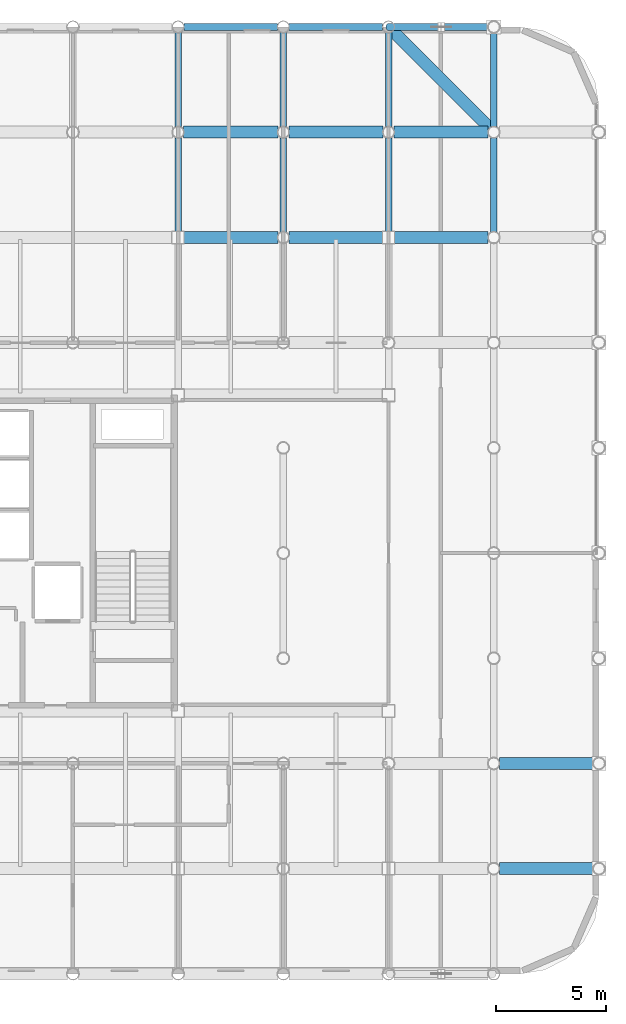
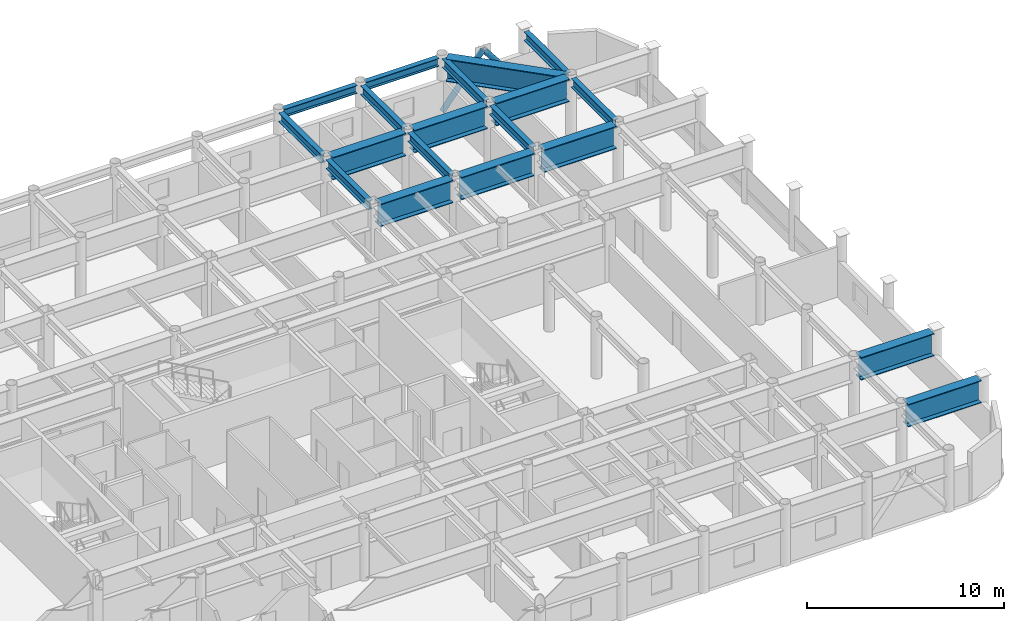
# One storey, part 16 of 27: 19 beams, 2 members.
"""IFC4 building model written with IfcOpenShell, lengths in metres."""

from ifc_helpers import new_model, si_unit, direction, frame, origin, origin_2d, place, context, subcontext, project, spatial, hollow_circle, i_section, extrude, material, material_profile, profile_set, type_object, element, save


model = new_model("IFC4")

# Units and contexts
model_context = context("Model", 3, precision=1e-05, world=origin(), true_north=direction((0.0, 1.0)))
body_context = subcontext(model_context, "Body", "Model", "MODEL_VIEW")
ifc_project = project(units=[si_unit("LENGTHUNIT", "METRE"), si_unit("AREAUNIT", "SQUARE_METRE"), si_unit("VOLUMEUNIT", "CUBIC_METRE"), si_unit("PLANEANGLEUNIT", "RADIAN"), si_unit("MASSUNIT", "GRAM", prefix="KILO")], contexts=[model_context])

# Site, building, storey
site_placement = place(None, origin())
site = spatial("IfcSite", under=ifc_project, at=site_placement, CompositionType="ELEMENT")
building_placement = place(site_placement, origin())
building = spatial("IfcBuilding", under=site, at=building_placement, Name="Kallvorn Hotel Tower", CompositionType="ELEMENT")
storey_placement = place(building_placement, frame((0.0, 0.0, 245.39990234375)))
storey = spatial("IfcBuildingStorey", under=building, at=storey_placement, Name="L61", CompositionType="ELEMENT", Elevation=245.39990234375)

# Beams
ifc_material_1 = material(Name="Structural steel S355JR", Category="steel")
ifc_material_profile_1 = material_profile(ifc_material_1, i_section(OverallWidth=0.300048828125, OverallDepth=0.5, WebThickness=0.014404296875, FlangeThickness=0.028076171875, at=origin_2d()), Name="HE 500 B")
ifc_profile_set_1 = profile_set([ifc_material_profile_1], Name="Structural steel S355JR")
beam_type_1 = type_object("IfcBeamType", Name="BM_HE500B", PredefinedType="SPANDREL", material=ifc_profile_set_1)
for number, where, z_axis, x_axis, name in (
    (1, (14.66943359375, 24.0, 3.420166015625), (1.0, 0.0, 0.0), (0.0, 1.0, 0.0), "L62 Perimeter Spandrel 181"),
    (2, (19.469482421875, 24.0, 3.420166015625), (1.0, 0.0, 0.0), (0.0, 1.0, 0.0), "L62 Perimeter Spandrel 182"),
):
    element("IfcBeam", number, at=place(storey_placement, frame(where, z_axis=z_axis, x_axis=x_axis)), inside=storey, type_object=beam_type_1, Name=name, PredefinedType="SPANDREL", context=body_context, shape_type="SweptSolid", body=[
        extrude(i_section(OverallWidth=0.300048828125, OverallDepth=0.5, WebThickness=0.014404296875, FlangeThickness=0.028076171875, at=origin_2d()), origin(), (0.0, 0.0, 1.0), 4.260986328125),
    ])
ifc_material_2 = material(Name="Structural steel S355JR", Category="steel")
ifc_material_profile_2 = material_profile(ifc_material_2, i_section(OverallWidth=0.300048828125, OverallDepth=0.550048828125, WebThickness=0.014892578125, FlangeThickness=0.029052734375, at=origin_2d()), Name="HE 550 B")
ifc_profile_set_2 = profile_set([ifc_material_profile_2], Name="Structural steel S355JR")
beam_type_2 = type_object("IfcBeamType", Name="BM_HE550B", PredefinedType="SPANDREL", material=ifc_profile_set_2)
beam_1_placement = place(storey_placement, frame((14.39990234375, 14.675048828125, 3.39501953125), z_axis=(0.0, 1.0, 0.0), x_axis=(-1.0, 0.0, 0.0)))
element("IfcBeam", 3, at=beam_1_placement, inside=storey, type_object=beam_type_2, Name="L62 Primary Y-Girder 133", PredefinedType="SPANDREL", context=body_context, shape_type="SweptSolid", body=[
    extrude(i_section(OverallWidth=0.300048828125, OverallDepth=0.550048828125, WebThickness=0.014892578125, FlangeThickness=0.029052734375, at=origin_2d()), origin(), (0.0, 0.0, 1.0), 4.2705078125),
])
for number, where, z_axis, x_axis, name in (
    (4, (14.39990234375, 19.45458984375, 3.39501953125), (0.0, 1.0, 0.0), (-1.0, 0.0, 0.0), "L62 Primary Y-Girder 134"),
    (5, (19.199951171875, 14.654541015625, 3.39501953125), (0.0, 1.0, 0.0), (-1.0, 0.0, 0.0), "L62 Primary Y-Girder 142"),
    (6, (19.199951171875, 19.45458984375, 3.39501953125), (0.0, 1.0, 0.0), (-1.0, 0.0, 0.0), "L62 Primary Y-Girder 143"),
):
    element("IfcBeam", number, at=place(storey_placement, frame(where, z_axis=z_axis, x_axis=x_axis)), inside=storey, type_object=beam_type_2, Name=name, PredefinedType="SPANDREL", context=body_context, shape_type="SweptSolid", body=[
        extrude(i_section(OverallWidth=0.300048828125, OverallDepth=0.550048828125, WebThickness=0.014892578125, FlangeThickness=0.029052734375, at=origin_2d()), origin(), (0.0, 0.0, 1.0), 4.291015625),
    ])
beam_2_placement = place(storey_placement, frame((24.0, 14.675048828125, 3.39501953125), z_axis=(0.0, 1.0, 0.0), x_axis=(-1.0, 0.0, 0.0)))
element("IfcBeam", 7, at=beam_2_placement, inside=storey, type_object=beam_type_2, Name="L62 Primary Y-Girder 149", PredefinedType="SPANDREL", context=body_context, shape_type="SweptSolid", body=[
    extrude(i_section(OverallWidth=0.300048828125, OverallDepth=0.550048828125, WebThickness=0.014892578125, FlangeThickness=0.029052734375, at=origin_2d()), origin(), (0.0, 0.0, 1.0), 4.2705078125),
])
for number, where, z_axis, x_axis, name in (
    (8, (24.0, 19.45458984375, 3.39501953125), (0.0, 1.0, 0.0), (-1.0, 0.0, 0.0), "L62 Primary Y-Girder 150"),
    (9, (28.800048828125, 14.654541015625, 3.39501953125), (0.0, 1.0, 0.0), (-1.0, 0.0, 0.0), "L62 Primary Y-Girder 158"),
    (10, (28.800048828125, 19.45458984375, 3.39501953125), (0.0, 1.0, 0.0), (-1.0, 0.0, 0.0), "L62 Primary Y-Girder 159"),
):
    element("IfcBeam", number, at=place(storey_placement, frame(where, z_axis=z_axis, x_axis=x_axis)), inside=storey, type_object=beam_type_2, Name=name, PredefinedType="SPANDREL", context=body_context, shape_type="SweptSolid", body=[
        extrude(i_section(OverallWidth=0.300048828125, OverallDepth=0.550048828125, WebThickness=0.014892578125, FlangeThickness=0.029052734375, at=origin_2d()), origin(), (0.0, 0.0, 1.0), 4.291015625),
    ])
ifc_material_3 = material(Name="Structural steel S355JR", Category="steel")
ifc_material_profile_3 = material_profile(ifc_material_3, i_section(OverallWidth=0.550048828125, OverallDepth=1.39990234375, WebThickness=0.02490234375, FlangeThickness=0.044921875, at=origin_2d()), Name="PG 1400x550x25x45")
ifc_profile_set_3 = profile_set([ifc_material_profile_3], Name="Structural steel S355JR")
beam_type_3 = type_object("IfcBeamType", Name="BM_PG_1400", PredefinedType="BEAM", material=ifc_profile_set_3)
for number, where, z_axis, x_axis, name in (
    (11, (29.054443359375, -14.39990234375, 2.97021484375), (1.0, 0.0, 0.0), (0.0, 1.0, 0.0), "L62 Primary X-Girder 31"),
    (12, (29.054443359375, -9.60009765625, 2.97021484375), (1.0, 0.0, 0.0), (0.0, 1.0, 0.0), "L62 Primary X-Girder 40"),
):
    element("IfcBeam", number, at=place(storey_placement, frame(where, z_axis=z_axis, x_axis=x_axis)), inside=storey, type_object=beam_type_3, Name=name, PredefinedType="BEAM", context=body_context, shape_type="SweptSolid", body=[
        extrude(i_section(OverallWidth=0.550048828125, OverallDepth=1.39990234375, WebThickness=0.02490234375, FlangeThickness=0.044921875, at=origin_2d()), origin(), (0.0, 0.0, 1.0), 4.291015625),
    ])
for number, where, z_axis, x_axis, name in (
    (13, (14.675048828125, 14.39990234375, 2.97021484375), (1.0, 0.0, 0.0), (0.0, 1.0, 0.0), "L62 Primary X-Girder 65"),
    (14, (19.45458984375, 14.39990234375, 2.97021484375), (1.0, 0.0, 0.0), (0.0, 1.0, 0.0), "L62 Primary X-Girder 66"),
    (15, (24.27490234375, 14.39990234375, 2.97021484375), (1.0, 0.0, 0.0), (0.0, 1.0, 0.0), "L62 Primary X-Girder 67"),
):
    element("IfcBeam", number, at=place(storey_placement, frame(where, z_axis=z_axis, x_axis=x_axis)), inside=storey, type_object=beam_type_3, Name=name, PredefinedType="BEAM", context=body_context, shape_type="SweptSolid", body=[
        extrude(i_section(OverallWidth=0.550048828125, OverallDepth=1.39990234375, WebThickness=0.02490234375, FlangeThickness=0.044921875, at=origin_2d()), origin(), (0.0, 0.0, 1.0), 4.2705078125),
    ])
for number, where, z_axis, x_axis, name in (
    (16, (14.654541015625, 19.199951171875, 2.97021484375), (1.0, 0.0, 0.0), (0.0, 1.0, 0.0), "L62 Primary X-Girder 78"),
    (17, (19.45458984375, 19.199951171875, 2.97021484375), (1.0, 0.0, 0.0), (0.0, 1.0, 0.0), "L62 Primary X-Girder 79"),
    (18, (24.25439453125, 19.199951171875, 2.97021484375), (1.0, 0.0, 0.0), (0.0, 1.0, 0.0), "L62 Primary X-Girder 80"),
):
    element("IfcBeam", number, at=place(storey_placement, frame(where, z_axis=z_axis, x_axis=x_axis)), inside=storey, type_object=beam_type_3, Name=name, PredefinedType="BEAM", context=body_context, shape_type="SweptSolid", body=[
        extrude(i_section(OverallWidth=0.550048828125, OverallDepth=1.39990234375, WebThickness=0.02490234375, FlangeThickness=0.044921875, at=origin_2d()), origin(), (0.0, 0.0, 1.0), 4.291015625),
    ])
beam_3_placement = place(storey_placement, frame((28.609375, 19.390625, 2.97021484375), z_axis=(-0.707106781187, 0.707106781187, 0.0), x_axis=(-0.707106781187, -0.707106781187, 0.0)))
element("IfcBeam", 19, at=beam_3_placement, inside=storey, type_object=beam_type_3, Name="L62 Rounded Corner Tie Beam 200", PredefinedType="BEAM", context=body_context, shape_type="SweptSolid", body=[
    extrude(i_section(OverallWidth=0.550048828125, OverallDepth=1.39990234375, WebThickness=0.02490234375, FlangeThickness=0.044921875, at=origin_2d()), origin(), (0.0, 0.0, 1.0), 6.2490234375),
])

# Members
ifc_material_4 = material(Name="Structural steel S355J2H", Category="steel")
ifc_material_profile_4 = material_profile(ifc_material_4, hollow_circle(Radius=0.161865234375, WallThickness=0.012451171875, at=origin_2d()), Name="CHS 323.9x12.5")
ifc_profile_set_4 = profile_set([ifc_material_profile_4], Name="Structural steel S355J2H")
member_type = type_object("IfcMemberType", Name="MBR_EXO_CHS323", PredefinedType="BRACE", material=ifc_profile_set_4)
for number, where, z_axis, x_axis, name in (
    (20, (24.012451171875, 24.0, 0.19580078125), (0.620928510901, 0.0, 0.783867198159), (0.0, 1.0, 0.0), "L61 Exoskeleton K-Brace N2A"),
    (21, (28.78759765625, 24.0, 0.19580078125), (-0.620928510901, 0.0, 0.783867198159), (0.0, -1.0, 0.0), "L61 Exoskeleton K-Brace N2B"),
):
    element("IfcMember", number, at=place(storey_placement, frame(where, z_axis=z_axis, x_axis=x_axis)), inside=storey, type_object=member_type, Name=name, PredefinedType="BRACE", context=body_context, shape_type="SweptSolid", body=[
        extrude(hollow_circle(Radius=0.161865234375, WallThickness=0.012451171875, at=origin_2d()), origin(), (0.0, 0.0, 1.0), 3.8251953125),
    ])

save(model, "model.ifc")
